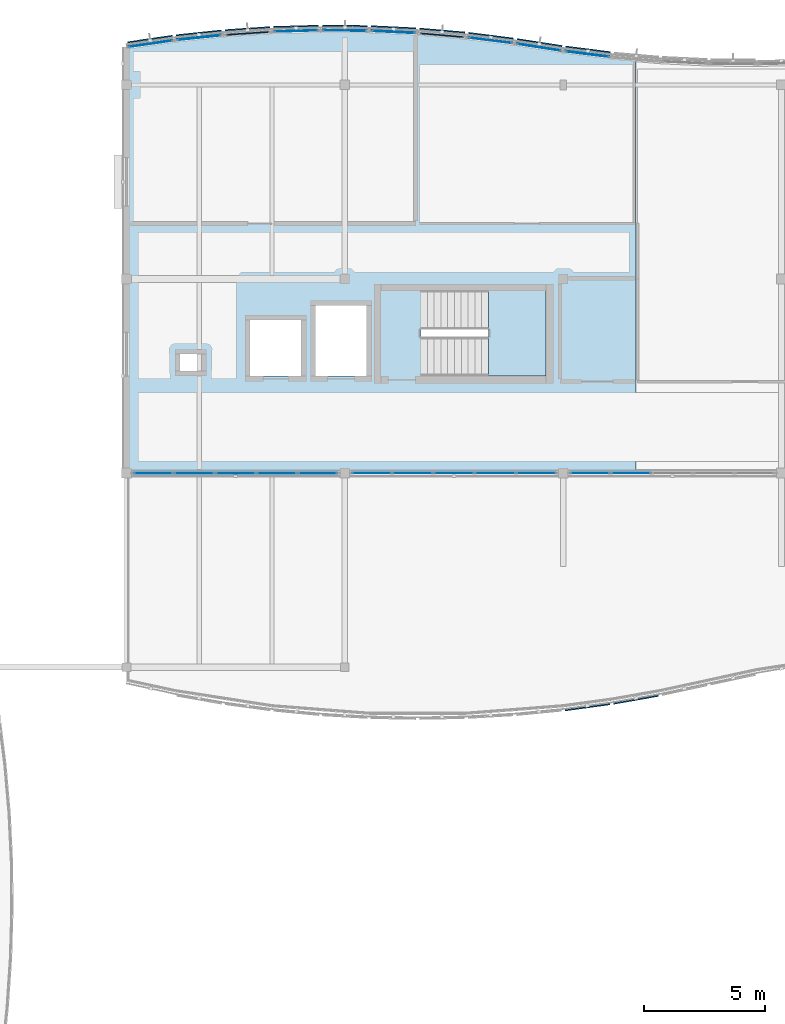
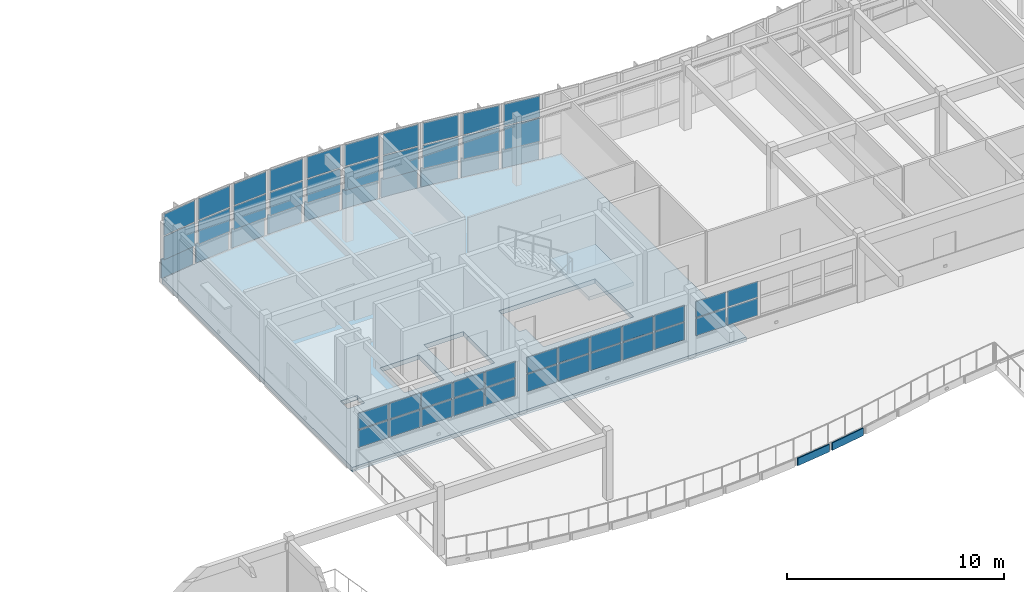
# One storey, part 31 of 63: 56 plates, 2 slabs, 14 elements without a shape of their own.
"""IFC4 building model written with IfcOpenShell, lengths in metres."""

from ifc_helpers import new_model, si_unit, direction, frame, origin, origin_2d, place, context, subcontext, project, spatial, polyline, rectangle, outline, extrude, material, layer, layer_set, type_object, element, aggregate, save


model = new_model("IFC4")

# Units and contexts
model_context = context("Model", 3, precision=1e-05, world=origin(), true_north=direction((0.0, 1.0)))
body_context = subcontext(model_context, "Body", "Model", "MODEL_VIEW")
ifc_project = project(units=[si_unit("LENGTHUNIT", "METRE"), si_unit("AREAUNIT", "SQUARE_METRE"), si_unit("VOLUMEUNIT", "CUBIC_METRE"), si_unit("PLANEANGLEUNIT", "RADIAN"), si_unit("MASSUNIT", "GRAM", prefix="KILO")], contexts=[model_context])

# Site, building, storey
site_placement = place(None, origin())
site = spatial("IfcSite", under=ifc_project, at=site_placement, CompositionType="ELEMENT")
building_placement = place(site_placement, origin())
building = spatial("IfcBuilding", under=site, at=building_placement, Name="Tonlespit Floodbar School", CompositionType="ELEMENT")
storey_placement = place(building_placement, frame((0.0, 0.0, 8.39990234375)))
storey = spatial("IfcBuildingStorey", under=building, at=storey_placement, Name="L02", CompositionType="ELEMENT", Elevation=8.39990234375)

# Curtain wall, plates
ifc_material_1 = material(Name="Anodised Aluminium", Category="aluminium")
ifc_layer_1 = layer(ifc_material_1, 0.159912109375)
ifc_layer_set_1 = layer_set([ifc_layer_1], Name="Anodised Aluminium")
curtain_wall_type_1 = type_object("IfcCurtainWallType", Name="CurtainWall_1900x2700", PredefinedType="NOTDEFINED", material=ifc_layer_set_1)
curtain_wall_1_placement = place(storey_placement, origin())
curtain_wall_1 = element("IfcCurtainWall", 1, at=curtain_wall_1_placement, inside=storey, type_object=curtain_wall_type_1, Name="L02 unitised curtain wall 0085", PredefinedType="NOTDEFINED")
ifc_material_2 = material(Name="Laminated Low-E Glass", Category="glass")
ifc_layer_2 = layer(ifc_material_2, 0.028076171875)
ifc_layer_set_2 = layer_set([ifc_layer_2], Name="Laminated Low-E Glass")
plate_type_1 = type_object("IfcPlateType", Name="CW_Panel_Glaz_28", PredefinedType="CURTAIN_PANEL", material=ifc_layer_set_2)
plate_1_placement = place(storey_placement, frame((51.0, 122.21826171875, 1.01513671875), z_axis=(0.0, 0.0, 1.0), x_axis=(0.999585477883, 0.028790144226, 0.0)))
plate_1 = element("IfcPlate", 2, at=plate_1_placement, type_object=plate_type_1, Name="CW-05 panel 1.1", PredefinedType="CURTAIN_PANEL", context=body_context, shape_type="SweptSolid", body=[
    extrude(rectangle(XDim=1.790771484375, YDim=0.028076171875, at=origin_2d()), origin(), (0.0, 0.0, 1.0), 1.306396484375),
])
plate_2_placement = place(storey_placement, frame((51.0, 122.21826171875, 2.38671875), z_axis=(0.0, 0.0, 1.0), x_axis=(0.999585477883, 0.028790144226, 0.0)))
plate_2 = element("IfcPlate", 3, at=plate_2_placement, type_object=plate_type_1, Name="CW-05 panel 1.2", PredefinedType="CURTAIN_PANEL", context=body_context, shape_type="SweptSolid", body=[
    extrude(rectangle(XDim=1.790771484375, YDim=0.028076171875, at=origin_2d()), origin(), (0.0, 0.0, 1.0), 1.198486328125),
])
aggregate(curtain_wall_1, [plate_1, plate_2])

ifc_layer_3 = layer(ifc_material_1, 0.159912109375)
ifc_layer_set_3 = layer_set([ifc_layer_3], Name="Anodised Aluminium")
curtain_wall_type_2 = type_object("IfcCurtainWallType", Name="CurtainWall_1950x2700", PredefinedType="NOTDEFINED", material=ifc_layer_set_3)
curtain_wall_2_placement = place(storey_placement, origin())
curtain_wall_2 = element("IfcCurtainWall", 4, at=curtain_wall_2_placement, inside=storey, type_object=curtain_wall_type_2, Name="L02 unitised curtain wall 0089", PredefinedType="NOTDEFINED")
plate_3_placement = place(storey_placement, frame((59.0, 121.831787109375, 1.01513671875), z_axis=(0.0, 0.0, 1.0), x_axis=(0.992155002499, -0.125013803299, 0.0)))
plate_3 = element("IfcPlate", 5, at=plate_3_placement, type_object=plate_type_1, Name="CW-04 panel 1.1", PredefinedType="CURTAIN_PANEL", context=body_context, shape_type="SweptSolid", body=[
    extrude(rectangle(XDim=1.805908203125, YDim=0.028076171875, at=origin_2d()), origin(), (0.0, 0.0, 1.0), 1.306396484375),
])
plate_4_placement = place(storey_placement, frame((59.0, 121.831787109375, 2.38671875), z_axis=(0.0, 0.0, 1.0), x_axis=(0.992155002499, -0.125013803299, 0.0)))
plate_4 = element("IfcPlate", 6, at=plate_4_placement, type_object=plate_type_1, Name="CW-04 panel 1.2", PredefinedType="CURTAIN_PANEL", context=body_context, shape_type="SweptSolid", body=[
    extrude(rectangle(XDim=1.805908203125, YDim=0.028076171875, at=origin_2d()), origin(), (0.0, 0.0, 1.0), 1.198486328125),
])
aggregate(curtain_wall_2, [plate_3, plate_4])

ifc_layer_4 = layer(ifc_material_1, 0.159912109375)
ifc_layer_set_4 = layer_set([ifc_layer_4], Name="Anodised Aluminium")
curtain_wall_type_3 = type_object("IfcCurtainWallType", Name="CurtainWall_8500x2050", PredefinedType="NOTDEFINED", material=ifc_layer_set_4)
curtain_wall_3_placement = place(storey_placement, origin())
curtain_wall_3 = element("IfcCurtainWall", 7, at=curtain_wall_3_placement, inside=storey, type_object=curtain_wall_type_3, Name="L02 unitised curtain wall 0121", PredefinedType="NOTDEFINED")
plate_5_placement = place(storey_placement, frame((64.7958984375, 104.0, 1.01513671875), z_axis=(0.0, 0.0, 1.0), x_axis=(-1.0, 0.0, 0.0)))
plate_5 = element("IfcPlate", 8, at=plate_5_placement, type_object=plate_type_1, Name="CW-07 panel 4.1", PredefinedType="CURTAIN_PANEL", context=body_context, shape_type="SweptSolid", body=[
    extrude(rectangle(XDim=1.638916015625, YDim=0.028076171875, at=origin_2d()), origin(), (0.0, 0.0, 1.0), 0.97265625),
])
plate_6_placement = place(storey_placement, frame((64.7958984375, 104.0, 2.052734375), z_axis=(0.0, 0.0, 1.0), x_axis=(-1.0, 0.0, 0.0)))
plate_6 = element("IfcPlate", 9, at=plate_6_placement, type_object=plate_type_1, Name="CW-07 panel 4.2", PredefinedType="CURTAIN_PANEL", context=body_context, shape_type="SweptSolid", body=[
    extrude(rectangle(XDim=1.638916015625, YDim=0.028076171875, at=origin_2d()), origin(), (0.0, 0.0, 1.0), 0.890380859375),
])
plate_7_placement = place(storey_placement, frame((63.108154296875, 104.0, 1.01513671875), z_axis=(0.0, 0.0, 1.0), x_axis=(-1.0, 0.0, 0.0)))
plate_7 = element("IfcPlate", 10, at=plate_7_placement, type_object=plate_type_1, Name="CW-07 panel 5.1", PredefinedType="CURTAIN_PANEL", context=body_context, shape_type="SweptSolid", body=[
    extrude(rectangle(XDim=1.6064453125, YDim=0.028076171875, at=origin_2d()), origin(), (0.0, 0.0, 1.0), 0.97265625),
])
plate_8_placement = place(storey_placement, frame((63.108154296875, 104.0, 2.052734375), z_axis=(0.0, 0.0, 1.0), x_axis=(-1.0, 0.0, 0.0)))
plate_8 = element("IfcPlate", 11, at=plate_8_placement, type_object=plate_type_1, Name="CW-07 panel 5.2", PredefinedType="CURTAIN_PANEL", context=body_context, shape_type="SweptSolid", body=[
    extrude(rectangle(XDim=1.6064453125, YDim=0.028076171875, at=origin_2d()), origin(), (0.0, 0.0, 1.0), 0.890380859375),
])
aggregate(curtain_wall_3, [plate_5, plate_6, plate_7, plate_8])

curtain_wall_4_placement = place(storey_placement, origin())
curtain_wall_4 = element("IfcCurtainWall", 12, at=curtain_wall_4_placement, inside=storey, type_object=curtain_wall_type_2, Name="L02 unitised curtain wall 0082", PredefinedType="NOTDEFINED")
ifc_layer_5 = layer(ifc_material_2, 0.031982421875)
ifc_layer_set_5 = layer_set([ifc_layer_5], Name="Laminated Low-E Glass")
plate_type_2 = type_object("IfcPlateType", Name="CW_Panel_Glaz_32", PredefinedType="CURTAIN_PANEL", material=ifc_layer_set_5)
plate_9_placement = place(storey_placement, frame((45.0, 121.69580078125, 1.01513671875), z_axis=(0.0, 0.0, 1.0), x_axis=(0.989541561858, 0.144248041079, 0.0)))
plate_9 = element("IfcPlate", 13, at=plate_9_placement, type_object=plate_type_2, Name="CW-04 panel 1.1", PredefinedType="CURTAIN_PANEL", context=body_context, shape_type="SweptSolid", body=[
    extrude(rectangle(XDim=1.81103515625, YDim=0.031982421875, at=origin_2d()), origin(), (0.0, 0.0, 1.0), 1.306396484375),
])
plate_10_placement = place(storey_placement, frame((45.0, 121.69580078125, 2.38671875), z_axis=(0.0, 0.0, 1.0), x_axis=(0.989541561858, 0.144248041079, 0.0)))
plate_10 = element("IfcPlate", 14, at=plate_10_placement, type_object=plate_type_2, Name="CW-04 panel 1.2", PredefinedType="CURTAIN_PANEL", context=body_context, shape_type="SweptSolid", body=[
    extrude(rectangle(XDim=1.81103515625, YDim=0.031982421875, at=origin_2d()), origin(), (0.0, 0.0, 1.0), 1.198486328125),
])
aggregate(curtain_wall_4, [plate_9, plate_10])

curtain_wall_5_placement = place(storey_placement, origin())
curtain_wall_5 = element("IfcCurtainWall", 15, at=curtain_wall_5_placement, inside=storey, type_object=curtain_wall_type_1, Name="L02 unitised curtain wall 0086", PredefinedType="NOTDEFINED")
plate_11_placement = place(storey_placement, frame((53.0, 122.2373046875, 1.01513671875), z_axis=(0.0, 0.0, 1.0), x_axis=(0.999954083024, -0.009582893292, 0.0)))
plate_11 = element("IfcPlate", 16, at=plate_11_placement, type_object=plate_type_2, Name="CW-05 panel 1.1", PredefinedType="CURTAIN_PANEL", context=body_context, shape_type="SweptSolid", body=[
    extrude(rectangle(XDim=1.7900390625, YDim=0.031982421875, at=origin_2d()), origin(), (0.0, 0.0, 1.0), 1.306396484375),
])
plate_12_placement = place(storey_placement, frame((53.0, 122.2373046875, 2.38671875), z_axis=(0.0, 0.0, 1.0), x_axis=(0.999954083024, -0.009582893292, 0.0)))
plate_12 = element("IfcPlate", 17, at=plate_12_placement, type_object=plate_type_2, Name="CW-05 panel 1.2", PredefinedType="CURTAIN_PANEL", context=body_context, shape_type="SweptSolid", body=[
    extrude(rectangle(XDim=1.7900390625, YDim=0.031982421875, at=origin_2d()), origin(), (0.0, 0.0, 1.0), 1.198486328125),
])
aggregate(curtain_wall_5, [plate_11, plate_12])

curtain_wall_6_placement = place(storey_placement, origin())
curtain_wall_6 = element("IfcCurtainWall", 18, at=curtain_wall_6_placement, inside=storey, type_object=curtain_wall_type_2, Name="L02 unitised curtain wall 0090", PredefinedType="NOTDEFINED")
plate_13_placement = place(storey_placement, frame((61.0, 121.550048828125, 1.01513671875), z_axis=(0.0, 0.0, 1.0), x_axis=(0.988102576465, -0.153796288585, 0.0)))
plate_13 = element("IfcPlate", 19, at=plate_13_placement, type_object=plate_type_2, Name="CW-04 panel 1.1", PredefinedType="CURTAIN_PANEL", context=body_context, shape_type="SweptSolid", body=[
    extrude(rectangle(XDim=1.814208984375, YDim=0.031982421875, at=origin_2d()), origin(), (0.0, 0.0, 1.0), 1.306396484375),
])
plate_14_placement = place(storey_placement, frame((61.0, 121.550048828125, 2.38671875), z_axis=(0.0, 0.0, 1.0), x_axis=(0.988102576465, -0.153796288585, 0.0)))
plate_14 = element("IfcPlate", 20, at=plate_14_placement, type_object=plate_type_2, Name="CW-04 panel 1.2", PredefinedType="CURTAIN_PANEL", context=body_context, shape_type="SweptSolid", body=[
    extrude(rectangle(XDim=1.814208984375, YDim=0.031982421875, at=origin_2d()), origin(), (0.0, 0.0, 1.0), 1.198486328125),
])
aggregate(curtain_wall_6, [plate_13, plate_14])

curtain_wall_7_placement = place(storey_placement, origin())
curtain_wall_7 = element("IfcCurtainWall", 21, at=curtain_wall_7_placement, inside=storey, type_object=curtain_wall_type_3, Name="L02 unitised curtain wall 0122", PredefinedType="NOTDEFINED")
plate_15_placement = place(storey_placement, frame((60.891845703125, 104.0, 1.01513671875), z_axis=(0.0, 0.0, 1.0), x_axis=(-1.0, 0.0, 0.0)))
plate_15 = element("IfcPlate", 22, at=plate_15_placement, type_object=plate_type_2, Name="CW-07 panel 1.1", PredefinedType="CURTAIN_PANEL", context=body_context, shape_type="SweptSolid", body=[
    extrude(rectangle(XDim=1.6064453125, YDim=0.031982421875, at=origin_2d()), origin(), (0.0, 0.0, 1.0), 0.97265625),
])
plate_16_placement = place(storey_placement, frame((60.891845703125, 104.0, 2.052734375), z_axis=(0.0, 0.0, 1.0), x_axis=(-1.0, 0.0, 0.0)))
plate_16 = element("IfcPlate", 23, at=plate_16_placement, type_object=plate_type_2, Name="CW-07 panel 1.2", PredefinedType="CURTAIN_PANEL", context=body_context, shape_type="SweptSolid", body=[
    extrude(rectangle(XDim=1.6064453125, YDim=0.031982421875, at=origin_2d()), origin(), (0.0, 0.0, 1.0), 0.890380859375),
])
plate_17_placement = place(storey_placement, frame((59.2041015625, 104.0, 1.01513671875), z_axis=(0.0, 0.0, 1.0), x_axis=(-1.0, 0.0, 0.0)))
plate_17 = element("IfcPlate", 24, at=plate_17_placement, type_object=plate_type_2, Name="CW-07 panel 2.1", PredefinedType="CURTAIN_PANEL", context=body_context, shape_type="SweptSolid", body=[
    extrude(rectangle(XDim=1.638916015625, YDim=0.031982421875, at=origin_2d()), origin(), (0.0, 0.0, 1.0), 0.97265625),
])
plate_18_placement = place(storey_placement, frame((59.2041015625, 104.0, 2.052734375), z_axis=(0.0, 0.0, 1.0), x_axis=(-1.0, 0.0, 0.0)))
plate_18 = element("IfcPlate", 25, at=plate_18_placement, type_object=plate_type_2, Name="CW-07 panel 2.2", PredefinedType="CURTAIN_PANEL", context=body_context, shape_type="SweptSolid", body=[
    extrude(rectangle(XDim=1.638916015625, YDim=0.031982421875, at=origin_2d()), origin(), (0.0, 0.0, 1.0), 0.890380859375),
])
plate_19_placement = place(storey_placement, frame((57.5, 104.0, 1.01513671875), z_axis=(0.0, 0.0, 1.0), x_axis=(-1.0, 0.0, 0.0)))
plate_19 = element("IfcPlate", 26, at=plate_19_placement, type_object=plate_type_2, Name="CW-07 panel 3.1", PredefinedType="CURTAIN_PANEL", context=body_context, shape_type="SweptSolid", body=[
    extrude(rectangle(XDim=1.638916015625, YDim=0.031982421875, at=origin_2d()), origin(), (0.0, 0.0, 1.0), 0.97265625),
])
plate_20_placement = place(storey_placement, frame((57.5, 104.0, 2.052734375), z_axis=(0.0, 0.0, 1.0), x_axis=(-1.0, 0.0, 0.0)))
plate_20 = element("IfcPlate", 27, at=plate_20_placement, type_object=plate_type_2, Name="CW-07 panel 3.2", PredefinedType="CURTAIN_PANEL", context=body_context, shape_type="SweptSolid", body=[
    extrude(rectangle(XDim=1.638916015625, YDim=0.031982421875, at=origin_2d()), origin(), (0.0, 0.0, 1.0), 0.890380859375),
])
plate_21_placement = place(storey_placement, frame((55.7958984375, 104.0, 1.01513671875), z_axis=(0.0, 0.0, 1.0), x_axis=(-1.0, 0.0, 0.0)))
plate_21 = element("IfcPlate", 28, at=plate_21_placement, type_object=plate_type_2, Name="CW-07 panel 4.1", PredefinedType="CURTAIN_PANEL", context=body_context, shape_type="SweptSolid", body=[
    extrude(rectangle(XDim=1.638916015625, YDim=0.031982421875, at=origin_2d()), origin(), (0.0, 0.0, 1.0), 0.97265625),
])
plate_22_placement = place(storey_placement, frame((55.7958984375, 104.0, 2.052734375), z_axis=(0.0, 0.0, 1.0), x_axis=(-1.0, 0.0, 0.0)))
plate_22 = element("IfcPlate", 29, at=plate_22_placement, type_object=plate_type_2, Name="CW-07 panel 4.2", PredefinedType="CURTAIN_PANEL", context=body_context, shape_type="SweptSolid", body=[
    extrude(rectangle(XDim=1.638916015625, YDim=0.031982421875, at=origin_2d()), origin(), (0.0, 0.0, 1.0), 0.890380859375),
])
plate_23_placement = place(storey_placement, frame((54.108154296875, 104.0, 1.01513671875), z_axis=(0.0, 0.0, 1.0), x_axis=(-1.0, 0.0, 0.0)))
plate_23 = element("IfcPlate", 30, at=plate_23_placement, type_object=plate_type_2, Name="CW-07 panel 5.1", PredefinedType="CURTAIN_PANEL", context=body_context, shape_type="SweptSolid", body=[
    extrude(rectangle(XDim=1.6064453125, YDim=0.031982421875, at=origin_2d()), origin(), (0.0, 0.0, 1.0), 0.97265625),
])
plate_24_placement = place(storey_placement, frame((54.108154296875, 104.0, 2.052734375), z_axis=(0.0, 0.0, 1.0), x_axis=(-1.0, 0.0, 0.0)))
plate_24 = element("IfcPlate", 31, at=plate_24_placement, type_object=plate_type_2, Name="CW-07 panel 5.2", PredefinedType="CURTAIN_PANEL", context=body_context, shape_type="SweptSolid", body=[
    extrude(rectangle(XDim=1.6064453125, YDim=0.031982421875, at=origin_2d()), origin(), (0.0, 0.0, 1.0), 0.890380859375),
])
aggregate(curtain_wall_7, [plate_15, plate_16, plate_17, plate_18, plate_19, plate_20, plate_21, plate_22, plate_23, plate_24])

curtain_wall_8_placement = place(storey_placement, origin())
curtain_wall_8 = element("IfcCurtainWall", 32, at=curtain_wall_8_placement, inside=storey, type_object=curtain_wall_type_2, Name="L02 unitised curtain wall 0083", PredefinedType="NOTDEFINED")
ifc_layer_6 = layer(ifc_material_2, 0.035888671875)
ifc_layer_set_6 = layer_set([ifc_layer_6], Name="Laminated Low-E Glass")
plate_type_3 = type_object("IfcPlateType", Name="CW_Panel_Glaz_36", PredefinedType="CURTAIN_PANEL", material=ifc_layer_set_6)
plate_25_placement = place(storey_placement, frame((47.0, 121.947998046875, 1.01513671875), z_axis=(0.0, 0.0, 1.0), x_axis=(0.994388797288, 0.105787143968, 0.0)))
plate_25 = element("IfcPlate", 33, at=plate_25_placement, type_object=plate_type_3, Name="CW-04 panel 1.1", PredefinedType="CURTAIN_PANEL", context=body_context, shape_type="SweptSolid", body=[
    extrude(rectangle(XDim=1.80126953125, YDim=0.035888671875, at=origin_2d()), origin(), (0.0, 0.0, 1.0), 1.306396484375),
])
plate_26_placement = place(storey_placement, frame((47.0, 121.947998046875, 2.38671875), z_axis=(0.0, 0.0, 1.0), x_axis=(0.994388797288, 0.105787143968, 0.0)))
plate_26 = element("IfcPlate", 34, at=plate_26_placement, type_object=plate_type_3, Name="CW-04 panel 1.2", PredefinedType="CURTAIN_PANEL", context=body_context, shape_type="SweptSolid", body=[
    extrude(rectangle(XDim=1.80126953125, YDim=0.035888671875, at=origin_2d()), origin(), (0.0, 0.0, 1.0), 1.198486328125),
])
aggregate(curtain_wall_8, [plate_25, plate_26])

curtain_wall_9_placement = place(storey_placement, origin())
curtain_wall_9 = element("IfcCurtainWall", 35, at=curtain_wall_9_placement, inside=storey, type_object=curtain_wall_type_1, Name="L02 unitised curtain wall 0087", PredefinedType="NOTDEFINED")
plate_27_placement = place(storey_placement, frame((55.0, 122.1796875, 1.01513671875), z_axis=(0.0, 0.0, 1.0), x_axis=(0.998841500616, -0.048121270216, 0.0)))
plate_27 = element("IfcPlate", 36, at=plate_27_placement, type_object=plate_type_3, Name="CW-05 panel 1.1", PredefinedType="CURTAIN_PANEL", context=body_context, shape_type="SweptSolid", body=[
    extrude(rectangle(XDim=1.792236328125, YDim=0.035888671875, at=origin_2d()), origin(), (0.0, 0.0, 1.0), 1.306396484375),
])
plate_28_placement = place(storey_placement, frame((55.0, 122.1796875, 2.38671875), z_axis=(0.0, 0.0, 1.0), x_axis=(0.998841500616, -0.048121270216, 0.0)))
plate_28 = element("IfcPlate", 37, at=plate_28_placement, type_object=plate_type_3, Name="CW-05 panel 1.2", PredefinedType="CURTAIN_PANEL", context=body_context, shape_type="SweptSolid", body=[
    extrude(rectangle(XDim=1.792236328125, YDim=0.035888671875, at=origin_2d()), origin(), (0.0, 0.0, 1.0), 1.198486328125),
])
aggregate(curtain_wall_9, [plate_27, plate_28])

curtain_wall_10_placement = place(storey_placement, origin())
curtain_wall_10 = element("IfcCurtainWall", 38, at=curtain_wall_10_placement, inside=storey, type_object=curtain_wall_type_2, Name="L02 unitised curtain wall 0091", PredefinedType="NOTDEFINED")
plate_29_placement = place(storey_placement, frame((63.0, 121.268310546875, 1.01513671875), z_axis=(0.0, 0.0, 1.0), x_axis=(0.992155002499, -0.125013803299, 0.0)))
plate_29 = element("IfcPlate", 39, at=plate_29_placement, type_object=plate_type_3, Name="CW-04 panel 1.1", PredefinedType="CURTAIN_PANEL", context=body_context, shape_type="SweptSolid", body=[
    extrude(rectangle(XDim=1.805908203125, YDim=0.035888671875, at=origin_2d()), origin(), (0.0, 0.0, 1.0), 1.306396484375),
])
plate_30_placement = place(storey_placement, frame((63.0, 121.268310546875, 2.38671875), z_axis=(0.0, 0.0, 1.0), x_axis=(0.992155002499, -0.125013803299, 0.0)))
plate_30 = element("IfcPlate", 40, at=plate_30_placement, type_object=plate_type_3, Name="CW-04 panel 1.2", PredefinedType="CURTAIN_PANEL", context=body_context, shape_type="SweptSolid", body=[
    extrude(rectangle(XDim=1.805908203125, YDim=0.035888671875, at=origin_2d()), origin(), (0.0, 0.0, 1.0), 1.198486328125),
])
aggregate(curtain_wall_10, [plate_29, plate_30])

curtain_wall_11_placement = place(storey_placement, origin())
curtain_wall_11 = element("IfcCurtainWall", 41, at=curtain_wall_11_placement, inside=storey, type_object=curtain_wall_type_3, Name="L02 unitised curtain wall 0123", PredefinedType="NOTDEFINED")
plate_31_placement = place(storey_placement, frame((51.891845703125, 104.0, 1.01513671875), z_axis=(0.0, 0.0, 1.0), x_axis=(-1.0, 0.0, 0.0)))
plate_31 = element("IfcPlate", 42, at=plate_31_placement, type_object=plate_type_3, Name="CW-07 panel 1.1", PredefinedType="CURTAIN_PANEL", context=body_context, shape_type="SweptSolid", body=[
    extrude(rectangle(XDim=1.6064453125, YDim=0.035888671875, at=origin_2d()), origin(), (0.0, 0.0, 1.0), 0.97265625),
])
plate_32_placement = place(storey_placement, frame((51.891845703125, 104.0, 2.052734375), z_axis=(0.0, 0.0, 1.0), x_axis=(-1.0, 0.0, 0.0)))
plate_32 = element("IfcPlate", 43, at=plate_32_placement, type_object=plate_type_3, Name="CW-07 panel 1.2", PredefinedType="CURTAIN_PANEL", context=body_context, shape_type="SweptSolid", body=[
    extrude(rectangle(XDim=1.6064453125, YDim=0.035888671875, at=origin_2d()), origin(), (0.0, 0.0, 1.0), 0.890380859375),
])
plate_33_placement = place(storey_placement, frame((50.2041015625, 104.0, 1.01513671875), z_axis=(0.0, 0.0, 1.0), x_axis=(-1.0, 0.0, 0.0)))
plate_33 = element("IfcPlate", 44, at=plate_33_placement, type_object=plate_type_3, Name="CW-07 panel 2.1", PredefinedType="CURTAIN_PANEL", context=body_context, shape_type="SweptSolid", body=[
    extrude(rectangle(XDim=1.638916015625, YDim=0.035888671875, at=origin_2d()), origin(), (0.0, 0.0, 1.0), 0.97265625),
])
plate_34_placement = place(storey_placement, frame((50.2041015625, 104.0, 2.052734375), z_axis=(0.0, 0.0, 1.0), x_axis=(-1.0, 0.0, 0.0)))
plate_34 = element("IfcPlate", 45, at=plate_34_placement, type_object=plate_type_3, Name="CW-07 panel 2.2", PredefinedType="CURTAIN_PANEL", context=body_context, shape_type="SweptSolid", body=[
    extrude(rectangle(XDim=1.638916015625, YDim=0.035888671875, at=origin_2d()), origin(), (0.0, 0.0, 1.0), 0.890380859375),
])
plate_35_placement = place(storey_placement, frame((48.5, 104.0, 1.01513671875), z_axis=(0.0, 0.0, 1.0), x_axis=(-1.0, 0.0, 0.0)))
plate_35 = element("IfcPlate", 46, at=plate_35_placement, type_object=plate_type_3, Name="CW-07 panel 3.1", PredefinedType="CURTAIN_PANEL", context=body_context, shape_type="SweptSolid", body=[
    extrude(rectangle(XDim=1.638916015625, YDim=0.035888671875, at=origin_2d()), origin(), (0.0, 0.0, 1.0), 0.97265625),
])
plate_36_placement = place(storey_placement, frame((48.5, 104.0, 2.052734375), z_axis=(0.0, 0.0, 1.0), x_axis=(-1.0, 0.0, 0.0)))
plate_36 = element("IfcPlate", 47, at=plate_36_placement, type_object=plate_type_3, Name="CW-07 panel 3.2", PredefinedType="CURTAIN_PANEL", context=body_context, shape_type="SweptSolid", body=[
    extrude(rectangle(XDim=1.638916015625, YDim=0.035888671875, at=origin_2d()), origin(), (0.0, 0.0, 1.0), 0.890380859375),
])
plate_37_placement = place(storey_placement, frame((46.7958984375, 104.0, 1.01513671875), z_axis=(0.0, 0.0, 1.0), x_axis=(-1.0, 0.0, 0.0)))
plate_37 = element("IfcPlate", 48, at=plate_37_placement, type_object=plate_type_3, Name="CW-07 panel 4.1", PredefinedType="CURTAIN_PANEL", context=body_context, shape_type="SweptSolid", body=[
    extrude(rectangle(XDim=1.638916015625, YDim=0.035888671875, at=origin_2d()), origin(), (0.0, 0.0, 1.0), 0.97265625),
])
plate_38_placement = place(storey_placement, frame((46.7958984375, 104.0, 2.052734375), z_axis=(0.0, 0.0, 1.0), x_axis=(-1.0, 0.0, 0.0)))
plate_38 = element("IfcPlate", 49, at=plate_38_placement, type_object=plate_type_3, Name="CW-07 panel 4.2", PredefinedType="CURTAIN_PANEL", context=body_context, shape_type="SweptSolid", body=[
    extrude(rectangle(XDim=1.638916015625, YDim=0.035888671875, at=origin_2d()), origin(), (0.0, 0.0, 1.0), 0.890380859375),
])
plate_39_placement = place(storey_placement, frame((45.108154296875, 104.0, 1.01513671875), z_axis=(0.0, 0.0, 1.0), x_axis=(-1.0, 0.0, 0.0)))
plate_39 = element("IfcPlate", 50, at=plate_39_placement, type_object=plate_type_3, Name="CW-07 panel 5.1", PredefinedType="CURTAIN_PANEL", context=body_context, shape_type="SweptSolid", body=[
    extrude(rectangle(XDim=1.6064453125, YDim=0.035888671875, at=origin_2d()), origin(), (0.0, 0.0, 1.0), 0.97265625),
])
plate_40_placement = place(storey_placement, frame((45.108154296875, 104.0, 2.052734375), z_axis=(0.0, 0.0, 1.0), x_axis=(-1.0, 0.0, 0.0)))
plate_40 = element("IfcPlate", 51, at=plate_40_placement, type_object=plate_type_3, Name="CW-07 panel 5.2", PredefinedType="CURTAIN_PANEL", context=body_context, shape_type="SweptSolid", body=[
    extrude(rectangle(XDim=1.6064453125, YDim=0.035888671875, at=origin_2d()), origin(), (0.0, 0.0, 1.0), 0.890380859375),
])
aggregate(curtain_wall_11, [plate_31, plate_32, plate_33, plate_34, plate_35, plate_36, plate_37, plate_38, plate_39, plate_40])

curtain_wall_12_placement = place(storey_placement, origin())
curtain_wall_12 = element("IfcCurtainWall", 52, at=curtain_wall_12_placement, inside=storey, type_object=curtain_wall_type_1, Name="L02 unitised curtain wall 0084", PredefinedType="NOTDEFINED")
ifc_layer_7 = layer(ifc_material_2, 0.0419921875)
ifc_layer_set_7 = layer_set([ifc_layer_7], Name="Laminated Low-E Glass")
plate_type_4 = type_object("IfcPlateType", Name="CW_Panel_Glaz_42", PredefinedType="CURTAIN_PANEL", material=ifc_layer_set_7)
plate_41_placement = place(storey_placement, frame((49.0, 122.121826171875, 1.01513671875), z_axis=(0.0, 0.0, 1.0), x_axis=(0.99773010165, 0.067339767311, 0.0)))
plate_41 = element("IfcPlate", 53, at=plate_41_placement, type_object=plate_type_4, Name="CW-05 panel 1.1", PredefinedType="CURTAIN_PANEL", context=body_context, shape_type="SweptSolid", body=[
    extrude(rectangle(XDim=1.794677734375, YDim=0.0419921875, at=origin_2d()), origin(), (0.0, 0.0, 1.0), 1.306396484375),
])
plate_42_placement = place(storey_placement, frame((49.0, 122.121826171875, 2.38671875), z_axis=(0.0, 0.0, 1.0), x_axis=(0.99773010165, 0.067339767311, 0.0)))
plate_42 = element("IfcPlate", 54, at=plate_42_placement, type_object=plate_type_4, Name="CW-05 panel 1.2", PredefinedType="CURTAIN_PANEL", context=body_context, shape_type="SweptSolid", body=[
    extrude(rectangle(XDim=1.794677734375, YDim=0.0419921875, at=origin_2d()), origin(), (0.0, 0.0, 1.0), 1.198486328125),
])
aggregate(curtain_wall_12, [plate_41, plate_42])

curtain_wall_13_placement = place(storey_placement, origin())
curtain_wall_13 = element("IfcCurtainWall", 55, at=curtain_wall_13_placement, inside=storey, type_object=curtain_wall_type_2, Name="L02 unitised curtain wall 0088", PredefinedType="NOTDEFINED")
plate_43_placement = place(storey_placement, frame((57.0, 122.044677734375, 1.01513671875), z_axis=(0.0, 0.0, 1.0), x_axis=(0.996249148412, -0.086531117454, 0.0)))
plate_43 = element("IfcPlate", 56, at=plate_43_placement, type_object=plate_type_4, Name="CW-04 panel 1.1", PredefinedType="CURTAIN_PANEL", context=body_context, shape_type="SweptSolid", body=[
    extrude(rectangle(XDim=1.797607421875, YDim=0.0419921875, at=origin_2d()), origin(), (0.0, 0.0, 1.0), 1.306396484375),
])
plate_44_placement = place(storey_placement, frame((57.0, 122.044677734375, 2.38671875), z_axis=(0.0, 0.0, 1.0), x_axis=(0.996249148412, -0.086531117454, 0.0)))
plate_44 = element("IfcPlate", 57, at=plate_44_placement, type_object=plate_type_4, Name="CW-04 panel 1.2", PredefinedType="CURTAIN_PANEL", context=body_context, shape_type="SweptSolid", body=[
    extrude(rectangle(XDim=1.797607421875, YDim=0.0419921875, at=origin_2d()), origin(), (0.0, 0.0, 1.0), 1.198486328125),
])
aggregate(curtain_wall_13, [plate_43, plate_44])

# Plates
ifc_material_3 = material(Name="White Architectural Aluminium", Category="aluminium")
ifc_layer_8 = layer(ifc_material_3, 0.06494140625)
ifc_layer_set_8 = layer_set([ifc_layer_8], Name="White Architectural Aluminium")
plate_type_5 = type_object("IfcPlateType", Name="FacadeRibbon_White_65", PredefinedType="SHEET", material=ifc_layer_set_8)
plate_45_placement = place(storey_placement, frame((44.9736328125, 121.8759765625, -0.1201171875), z_axis=(0.0, 0.0, 1.0), x_axis=(0.989537627347, 0.144275029245, 0.0)))
element("IfcPlate", 58, at=plate_45_placement, inside=storey, type_object=plate_type_5, Name="L02 flowing white street spandrel ribbon 0131", PredefinedType="SHEET", context=body_context, shape_type="SweptSolid", body=[
    extrude(rectangle(XDim=1.861083984375, YDim=0.06494140625, at=origin_2d()), origin(), (0.0, 0.0, 1.0), 1.070068359375),
])
plate_46_placement = place(storey_placement, frame((46.980712890625, 122.12890625, -0.1201171875), z_axis=(0.0, 0.0, 1.0), x_axis=(0.99439234017, 0.105753835922, 0.0)))
element("IfcPlate", 59, at=plate_46_placement, inside=storey, type_object=plate_type_5, Name="L02 flowing white street spandrel ribbon 0132", PredefinedType="SHEET", context=body_context, shape_type="SweptSolid", body=[
    extrude(rectangle(XDim=1.851318359375, YDim=0.06494140625, at=origin_2d()), origin(), (0.0, 0.0, 1.0), 1.070068359375),
])
plate_47_placement = place(storey_placement, frame((48.98779296875, 122.303466796875, -0.1201171875), z_axis=(0.0, 0.0, 1.0), x_axis=(0.997729639049, 0.067346621018, 0.0)))
element("IfcPlate", 60, at=plate_47_placement, inside=storey, type_object=plate_type_5, Name="L02 flowing white street spandrel ribbon 0133", PredefinedType="SHEET", context=body_context, shape_type="SweptSolid", body=[
    extrude(rectangle(XDim=1.844482421875, YDim=0.06494140625, at=origin_2d()), origin(), (0.0, 0.0, 1.0), 1.070068359375),
])
plate_48_placement = place(storey_placement, frame((50.994873046875, 122.400146484375, -0.1201171875), z_axis=(0.0, 0.0, 1.0), x_axis=(0.999584110869, 0.02883756748, 0.0)))
element("IfcPlate", 61, at=plate_48_placement, inside=storey, type_object=plate_type_5, Name="L02 flowing white street spandrel ribbon 0134", PredefinedType="SHEET", context=body_context, shape_type="SweptSolid", body=[
    extrude(rectangle(XDim=1.8408203125, YDim=0.06494140625, at=origin_2d()), origin(), (0.0, 0.0, 1.0), 1.070068359375),
])
plate_49_placement = place(storey_placement, frame((53.001708984375, 122.41943359375, -0.1201171875), z_axis=(0.0, 0.0, 1.0), x_axis=(0.999953926969, -0.009599163462, 0.0)))
element("IfcPlate", 62, at=plate_49_placement, inside=storey, type_object=plate_type_5, Name="L02 flowing white street spandrel ribbon 0135", PredefinedType="SHEET", context=body_context, shape_type="SweptSolid", body=[
    extrude(rectangle(XDim=1.840087890625, YDim=0.06494140625, at=origin_2d()), origin(), (0.0, 0.0, 1.0), 1.070068359375),
])
plate_50_placement = place(storey_placement, frame((55.0087890625, 122.361328125, -0.1201171875), z_axis=(0.0, 0.0, 1.0), x_axis=(0.998842769234, -0.048094930587, 0.0)))
element("IfcPlate", 63, at=plate_50_placement, inside=storey, type_object=plate_type_5, Name="L02 flowing white street spandrel ribbon 0136", PredefinedType="SHEET", context=body_context, shape_type="SweptSolid", body=[
    extrude(rectangle(XDim=1.84228515625, YDim=0.06494140625, at=origin_2d()), origin(), (0.0, 0.0, 1.0), 1.070068359375),
])
plate_51_placement = place(storey_placement, frame((57.015869140625, 122.225830078125, -0.1201171875), z_axis=(0.0, 0.0, 1.0), x_axis=(0.996245486492, -0.086573267488, 0.0)))
element("IfcPlate", 64, at=plate_51_placement, inside=storey, type_object=plate_type_5, Name="L02 flowing white street spandrel ribbon 0137", PredefinedType="SHEET", context=body_context, shape_type="SweptSolid", body=[
    extrude(rectangle(XDim=1.847412109375, YDim=0.06494140625, at=origin_2d()), origin(), (0.0, 0.0, 1.0), 1.070068359375),
])
plate_52_placement = place(storey_placement, frame((59.022705078125, 122.01220703125, -0.1201171875), z_axis=(0.0, 0.0, 1.0), x_axis=(0.99215533612, -0.125011155539, 0.0)))
element("IfcPlate", 65, at=plate_52_placement, inside=storey, type_object=plate_type_5, Name="L02 flowing white street spandrel ribbon 0138", PredefinedType="SHEET", context=body_context, shape_type="SweptSolid", body=[
    extrude(rectangle(XDim=1.855712890625, YDim=0.06494140625, at=origin_2d()), origin(), (0.0, 0.0, 1.0), 1.070068359375),
])
plate_53_placement = place(storey_placement, frame((61.028076171875, 121.729736328125, -0.1201171875), z_axis=(0.0, 0.0, 1.0), x_axis=(0.988094768361, -0.153846445322, 0.0)))
element("IfcPlate", 66, at=plate_53_placement, inside=storey, type_object=plate_type_5, Name="L02 flowing white street spandrel ribbon 0139", PredefinedType="SHEET", context=body_context, shape_type="SweptSolid", body=[
    extrude(rectangle(XDim=1.864013671875, YDim=0.06494140625, at=origin_2d()), origin(), (0.0, 0.0, 1.0), 1.070068359375),
])
plate_54_placement = place(storey_placement, frame((63.022705078125, 121.448974609375, -0.1201171875), z_axis=(0.0, 0.0, 1.0), x_axis=(0.99215533612, -0.125011155539, 0.0)))
element("IfcPlate", 67, at=plate_54_placement, inside=storey, type_object=plate_type_5, Name="L02 flowing white street spandrel ribbon 0140", PredefinedType="SHEET", context=body_context, shape_type="SweptSolid", body=[
    extrude(rectangle(XDim=1.855712890625, YDim=0.06494140625, at=origin_2d()), origin(), (0.0, 0.0, 1.0), 1.070068359375),
])
plate_55_placement = place(storey_placement, frame((63.0, 94.357666015625, -0.2998046875), z_axis=(0.0, 0.0, 1.0), x_axis=(0.990898113281, 0.13461400037, 0.0)))
element("IfcPlate", 68, at=plate_55_placement, inside=storey, type_object=plate_type_5, Name="L02 flowing white street spandrel ribbon 0187", PredefinedType="SHEET", context=body_context, shape_type="SweptSolid", body=[
    extrude(rectangle(XDim=1.8583984375, YDim=0.06494140625, at=origin_2d()), origin(), (0.0, 0.0, 1.0), 0.419921875),
])
plate_56_placement = place(storey_placement, frame((65.0, 94.669189453125, -0.2998046875), z_axis=(0.0, 0.0, 1.0), x_axis=(0.984904884962, 0.17309641122, 0.0)))
element("IfcPlate", 69, at=plate_56_placement, inside=storey, type_object=plate_type_5, Name="L02 flowing white street spandrel ribbon 0188", PredefinedType="SHEET", context=body_context, shape_type="SweptSolid", body=[
    extrude(rectangle(XDim=1.87060546875, YDim=0.06494140625, at=origin_2d()), origin(), (0.0, 0.0, 1.0), 0.419921875),
])

# Stair, slab
ifc_material_4 = material(Name="Concrete C40/50", Category="concrete")
stair_type = type_object("IfcStairType", Name="Stair_Core_Upper", PredefinedType="HALF_TURN_STAIR", material=ifc_material_4)
stair_placement = place(storey_placement, origin())
stair = element("IfcStair", 70, at=stair_placement, inside=storey, type_object=stair_type, Name="L02 Core C1 escape stair", PredefinedType="HALF_TURN_STAIR")
ifc_layer_9 = layer(ifc_material_4, 0.199951171875)
ifc_layer_set_9 = layer_set([ifc_layer_9], Name="Concrete C40/50")
slab_type_1 = type_object("IfcSlabType", Name="Landing_Core_RC200", PredefinedType="LANDING", material=ifc_layer_set_9)
slab_1_placement = place(storey_placement, frame((0.0, 0.0, 1.75)))
slab_1 = element("IfcSlab", 71, at=slab_1_placement, type_object=slab_type_1, Name="ST-C1 landing 1", PredefinedType="LANDING", context=body_context, shape_type="SweptSolid", body=[
    extrude(outline(polyline([(58.919921875, 108.0), (61.300048828125, 108.0), (61.300048828125, 111.5400390625), (58.919921875, 111.5400390625), (58.919921875, 108.0)])), origin(), (0.0, 0.0, 1.0), 0.2001953125),
])
aggregate(stair, [slab_1])

# Slab
ifc_material_5 = material(Name="CLT C24", Category="wood")
ifc_layer_10 = layer(ifc_material_5, 0.2548828125)
ifc_layer_set_10 = layer_set([ifc_layer_10], Name="CLT C24")
slab_type_2 = type_object("IfcSlabType", Name="Slab_Floor_CLT_220", PredefinedType="FLOOR", material=ifc_layer_set_10)
slab_2_placement = place(storey_placement, frame((0.0, 0.0, -0.2548828125)))
element("IfcSlab", 72, at=slab_2_placement, inside=storey, type_object=slab_type_2, Name="L02 V1 L02 west curved street slab", PredefinedType="FLOOR", context=body_context, shape_type="SweptSolid", body=[
    extrude(outline(polyline([(44.0, 104.0), (65.0, 104.0), (65.0, 121.045654296875), (62.89990234375, 121.27099609375), (60.800048828125, 121.582763671875), (58.699951171875, 121.87841796875), (56.60009765625, 122.08740234375), (54.5, 122.2109375), (52.39990234375, 122.249267578125), (50.300048828125, 122.202880859375), (48.199951171875, 122.0712890625), (46.10009765625, 121.85400390625), (44.0, 121.550048828125), (44.0, 104.0)]), holes=[polyline([(56.5, 108.0), (61.300048828125, 108.0), (61.300048828125, 111.5400390625), (56.14501953125, 111.5400390625), (56.14501953125, 109.6201171875), (56.5, 109.6201171875), (56.5, 108.0)]), polyline([(51.800048828125, 108.0), (53.89990234375, 108.0), (53.89990234375, 110.89990234375), (51.800048828125, 110.89990234375), (51.800048828125, 108.0)]), polyline([(49.10009765625, 108.0), (51.199951171875, 108.0), (51.199951171875, 110.300048828125), (49.10009765625, 110.300048828125), (49.10009765625, 108.0)]), polyline([(46.199951171875, 108.199951171875), (47.10009765625, 108.199951171875), (47.10009765625, 108.89990234375), (46.199951171875, 108.89990234375), (46.199951171875, 108.199951171875)])]), origin(), (0.0, 0.0, 1.0), 0.2548828125),
])

save(model, "model.ifc")
